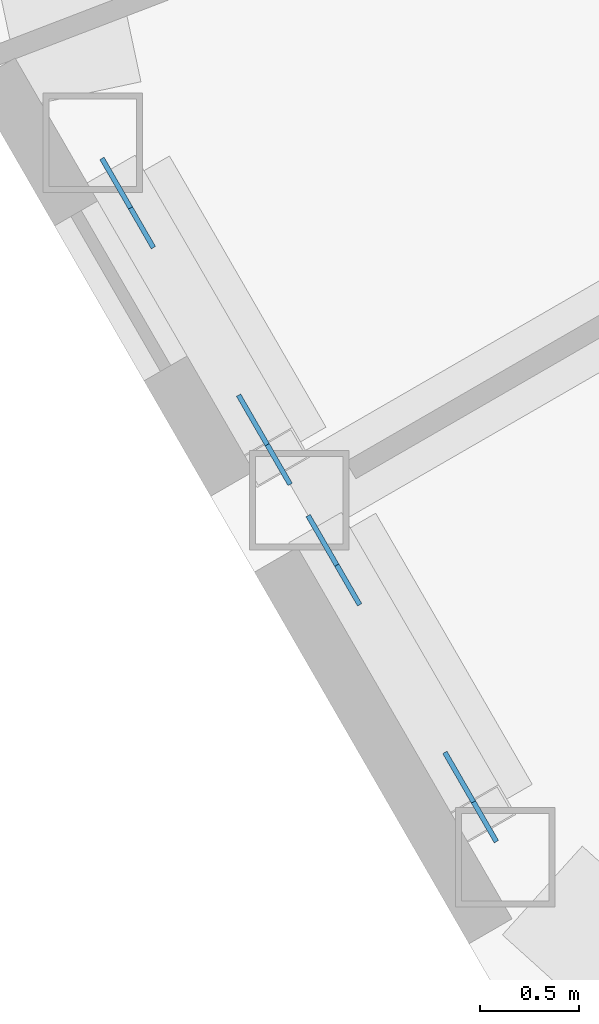
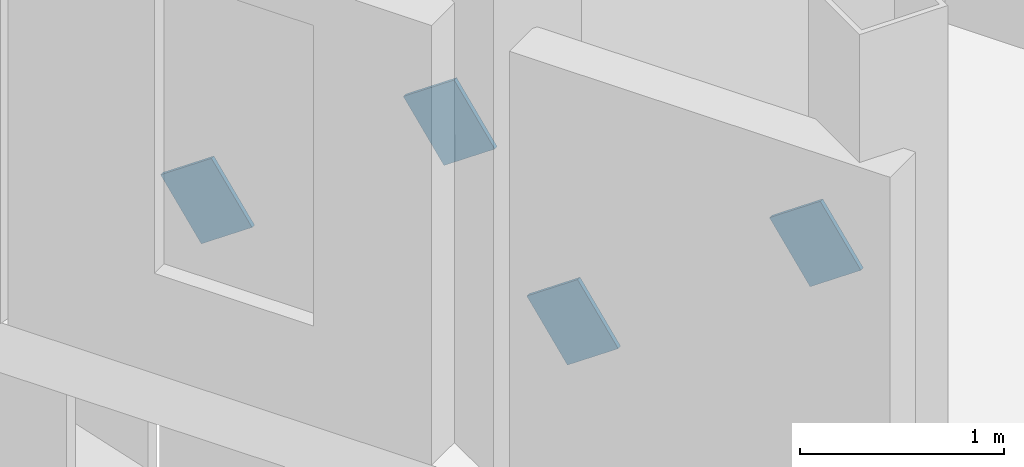
# One storey, part 19 of 27: 4 discrete accessories.
"""IFC4 building model written with IfcOpenShell, lengths in metres."""

import ifcopenshell
import ifcopenshell.guid

model = None  # the IFC model being written
_history = None  # IfcOwnerHistory: only IFC2X3 demands one
_inside = {}  # id of a spatial element -> (the spatial element, [elements in it])
_under = {}  # id of a project, library or spatial element -> (it, [spatial elements below it])
_declared = {}  # id of a project -> (the project, [libraries it declares])
_typed = {}  # id of a type object -> (the type object, [elements of that type])
_made_of = {}  # id of a material, layer set ... -> (it, [elements and type objects made of it])


def new_model(schema):
    """Start an empty IFC model of exactly this schema.

    Asked for "IFC4X3", IfcOpenShell would pick the latest addendum, in which some entities
    have other attributes; the version numbers below select the first issue.
    IFC2X3 requires an IfcOwnerHistory on every rooted entity: one is made here for all.
    """
    global model, _history
    if schema == "IFC4X3":
        model = ifcopenshell.file(schema_version=(4, 3, 0, 0))
    else:
        model = ifcopenshell.file(schema=schema)
    _inside.clear()
    _under.clear()
    _declared.clear()
    _typed.clear()
    _made_of.clear()
    _history = None
    if model.schema == "IFC2X3":
        org = make("IfcOrganization", Name="unknown")
        user = make(
            "IfcPersonAndOrganization",
            ThePerson=make("IfcPerson", FamilyName="unknown"),
            TheOrganization=org,
        )
        app = make(
            "IfcApplication",
            ApplicationDeveloper=org,
            Version="unknown",
            ApplicationFullName="unknown",
            ApplicationIdentifier="unknown",
        )
        _history = make(
            "IfcOwnerHistory",
            OwningUser=user,
            OwningApplication=app,
            ChangeAction="ADDED",
            CreationDate=0,
        )
    return model


def make(cls, **values):
    """One entity of the class cls with the attributes given. An attribute that is None is left unset."""
    return model.create_entity(
        cls, **{name: value for name, value in values.items() if value is not None}
    )


def rooted(cls, **values):
    """An entity with a GlobalId (a new one), such as an element, a storey or a relation."""
    return make(cls, GlobalId=ifcopenshell.guid.new(), OwnerHistory=_history, **values)


def si_unit(unit_type, name, prefix=None):
    """IfcSIUnit, for example si_unit("LENGTHUNIT", "METRE", prefix="MILLI")."""
    return make("IfcSIUnit", UnitType=unit_type, Prefix=prefix, Name=name)


def assignment(units):
    """IfcUnitAssignment: the units of a project."""
    return None if units is None else make("IfcUnitAssignment", Units=units)


def point(xyz):
    """IfcCartesianPoint."""
    return None if xyz is None else make("IfcCartesianPoint", Coordinates=xyz)


def direction(xyz):
    """IfcDirection."""
    return None if xyz is None else make("IfcDirection", DirectionRatios=xyz)


def frame(location, z_axis=None, x_axis=None):
    """IfcAxis2Placement3D, a coordinate frame: its origin and axes. An axis left out is left unset."""
    return make(
        "IfcAxis2Placement3D",
        Location=point(location),
        Axis=direction(z_axis),
        RefDirection=direction(x_axis),
    )


def frame_2d(location, x_axis=None):
    """IfcAxis2Placement2D, a coordinate frame in the plane: its origin and x axis."""
    return make(
        "IfcAxis2Placement2D", Location=point(location), RefDirection=direction(x_axis)
    )


def origin():
    """The frame at (0, 0, 0) with its axes left unset."""
    return frame((0.0, 0.0, 0.0))


def origin_2d():
    """The frame at (0, 0) in the plane with its x axis left unset."""
    return frame_2d((0.0, 0.0))


def place(relative_to, where):
    """IfcLocalPlacement: puts the frame where relative to a parent placement (None: the world)."""
    return make(
        "IfcLocalPlacement", PlacementRelTo=relative_to, RelativePlacement=where
    )


def context(
    kind, dimensions, precision=None, world=None, true_north=None, identifier=None
):
    """IfcGeometricRepresentationContext, for example the 3D "Model" context."""
    return make(
        "IfcGeometricRepresentationContext",
        ContextIdentifier=identifier,
        ContextType=kind,
        CoordinateSpaceDimension=dimensions,
        Precision=precision,
        WorldCoordinateSystem=world,
        TrueNorth=true_north,
    )


def subcontext(parent, identifier, kind, view, scale=None):
    """IfcGeometricRepresentationSubContext, for example "Body" below "Model"."""
    return make(
        "IfcGeometricRepresentationSubContext",
        ContextIdentifier=identifier,
        ContextType=kind,
        ParentContext=parent,
        TargetScale=scale,
        TargetView=view,
    )


def project(units=None, contexts=None):
    """IfcProject with its units and contexts."""
    return rooted(
        "IfcProject",
        Name="project",
        RepresentationContexts=contexts,
        UnitsInContext=assignment(units),
    )


def spatial(cls, under=None, at=None, **own):
    """A site, building, storey or space (cls), placed at a placement, below another one or the project."""
    s = rooted(cls, ObjectPlacement=at, **own)
    if under is not None:
        _under.setdefault(under.id(), (under, []))[1].append(s)
    return s


def profile(cls, at=None, kind="AREA", **sizes):
    """A parametric profile (cls). Its sizes go by their IFC names, for example OverallWidth=200.0."""
    return make(cls, ProfileType=kind, Position=at, **sizes)


def rectangle(**sizes):
    """IfcRectangleProfileDef."""
    return profile("IfcRectangleProfileDef", **sizes)


def extrude(swept, where, along, depth):
    """IfcExtrudedAreaSolid: the profile swept, set in the frame where, extruded along a direction by depth."""
    return make(
        "IfcExtrudedAreaSolid",
        SweptArea=swept,
        Position=where,
        ExtrudedDirection=direction(along),
        Depth=depth,
    )


def shape(context_of_items, identifier, shape_type, items):
    """IfcShapeRepresentation: the items that make up one representation, for example the "Body"."""
    return make(
        "IfcShapeRepresentation",
        ContextOfItems=context_of_items,
        RepresentationIdentifier=identifier,
        RepresentationType=shape_type,
        Items=items,
    )


def material(Name=None, Category=None):
    """IfcMaterial."""
    return make("IfcMaterial", Name=Name, Category=Category)


def material_profile(
    of_material, cross_section, Name=None, Category=None, Priority=None
):
    """IfcMaterialProfile: a cross section and its material."""
    return make(
        "IfcMaterialProfile",
        Name=Name,
        Material=of_material,
        Profile=cross_section,
        Priority=Priority,
        Category=Category,
    )


def profile_set(profiles, Name=None, composite=None):
    """IfcMaterialProfileSet."""
    return make(
        "IfcMaterialProfileSet",
        Name=Name,
        MaterialProfiles=profiles,
        CompositeProfile=composite,
    )


def made_of(thing, what):
    """Note that an element or type object is made of a material, layer set ...; save() writes the relation."""
    if what is not None:
        _made_of.setdefault(what.id(), (what, []))[1].append(thing)
    return thing


def type_object(cls, material=None, **own):
    """A type object (cls), such as IfcWallType, which elements share."""
    return made_of(rooted(cls, **own), material)


def element(
    cls,
    number,
    at=None,
    inside=None,
    cuts=None,
    type_object=None,
    material=None,
    context=None,
    identifier="Body",
    shape_type=None,
    held_by="IfcProductDefinitionShape",
    body=None,
    shapes=None,
    **own,
):
    """One element of the class cls, such as IfcWall. Its Tag is "e" and its number.

    at: its placement. inside: the storey or other place that contains it. cuts: it is an
    opening in that element (IfcRelVoidsElement). A single representation is given by context,
    identifier, shape_type and body (its items); several are given by shapes. held_by: the class
    of the entity that holds the representations. save() writes the other relations.
    """
    e = rooted(cls, Tag="e%d" % number, ObjectPlacement=at, **own)
    if body is not None:
        shapes = [shape(context, identifier, shape_type, body)]
    if shapes is not None:
        e.Representation = make(held_by, Representations=shapes)
    if inside is not None:
        _inside.setdefault(inside.id(), (inside, []))[1].append(e)
    if cuts is not None:
        rooted(
            "IfcRelVoidsElement", RelatingBuildingElement=cuts, RelatedOpeningElement=e
        )
    if type_object is not None:
        _typed.setdefault(type_object.id(), (type_object, []))[1].append(e)
    return made_of(e, material)


def aggregate(whole, parts):
    """IfcRelAggregates: a whole, such as a stair, and the parts it consists of."""
    return rooted("IfcRelAggregates", RelatingObject=whole, RelatedObjects=parts)


def save(model, path):
    """Write the relations noted so far, then the file.

    IfcRelAggregates (storeys below a building ...), IfcRelContainedInSpatialStructure (elements
    in a storey), IfcRelDefinesByType, IfcRelAssociatesMaterial and IfcRelDeclares: one each for
    every whole, place, type object, material and project.
    """
    for whole, parts in _under.values():
        aggregate(whole, parts)
    for where, things in _inside.values():
        rooted(
            "IfcRelContainedInSpatialStructure",
            RelatedElements=things,
            RelatingStructure=where,
        )
    for kind, things in _typed.values():
        rooted("IfcRelDefinesByType", RelatedObjects=things, RelatingType=kind)
    for what, things in _made_of.values():
        rooted("IfcRelAssociatesMaterial", RelatedObjects=things, RelatingMaterial=what)
    for by, libraries in _declared.values():
        rooted("IfcRelDeclares", RelatingContext=by, RelatedDefinitions=libraries)
    model.write(path)


model = new_model("IFC4")

# Units and contexts
model_context = context("Model", 3, precision=1e-05, world=origin(), true_north=direction((0.0, 1.0)))
body_context = subcontext(model_context, "Body", "Model", "MODEL_VIEW")
ifc_project = project(units=[si_unit("LENGTHUNIT", "METRE"), si_unit("AREAUNIT", "SQUARE_METRE"), si_unit("VOLUMEUNIT", "CUBIC_METRE"), si_unit("PLANEANGLEUNIT", "RADIAN"), si_unit("MASSUNIT", "GRAM", prefix="KILO")], contexts=[model_context])

# Site, building, storey
site_placement = place(None, origin())
site = spatial("IfcSite", under=ifc_project, at=site_placement, CompositionType="ELEMENT")
building_placement = place(site_placement, origin())
building = spatial("IfcBuilding", under=site, at=building_placement, Name="Cormorant Prow Tower", CompositionType="ELEMENT")
storey_placement = place(building_placement, frame((0.0, 0.0, 361.0)))
storey = spatial("IfcBuildingStorey", under=building, at=storey_placement, Name="L80", CompositionType="ELEMENT", Elevation=361.0)

# Discrete accessories
ifc_material = material(Name="Structural steel ASTM A500 Gr C", Category="steel")
ifc_material_profile = material_profile(ifc_material, rectangle(XDim=0.02490234375, YDim=0.405029296875, at=origin_2d()), Name="Gusset plate 25x405")
ifc_profile_set = profile_set([ifc_material_profile], Name="Structural steel ASTM A500 Gr C")
discrete_accessory_type = type_object("IfcDiscreteAccessoryType", Name="Gusset plate 25x405", PredefinedType="BRACKET", material=ifc_profile_set)
for number, where, z_axis, x_axis, name in (
    (1, (-27.8271484375, -14.2412109375, 0.941162109375), (-0.411016012482, 0.712474276306, -0.568723344945), (-0.866199709737, -0.499697971631, 0.0), "Gusset plate GP3 L80.WSW00.g0"),
    (2, (-27.28369140625, -15.182373046875, 1.692626953125), (0.411595697368, -0.712269842394, 0.568560158228), (0.865832418869, 0.500334110806, 0.0), "Gusset plate GP3 L80.WSW00.g1"),
    (3, (-26.7900390625, -16.037109375, 0.941162109375), (-0.411595697368, 0.712269842394, -0.568560158228), (-0.865832418869, -0.500334110806, 0.0), "Gusset plate GP3 L80.WSW01.g0"),
    (4, (-26.246826171875, -16.978271484375, 1.692626953125), (0.411595697368, -0.712269842394, 0.568560158228), (0.865832418869, 0.500334110806, 0.0), "Gusset plate GP3 L80.WSW01.g1"),
):
    element("IfcDiscreteAccessory", number, at=place(storey_placement, frame(where, z_axis=z_axis, x_axis=x_axis)), inside=storey, type_object=discrete_accessory_type, Name=name, PredefinedType="BRACKET", context=body_context, shape_type="SweptSolid", body=[
        extrude(rectangle(XDim=0.02490234375, YDim=0.405029296875, at=origin_2d()), origin(), (0.0, 0.0, 1.0), 0.349853515625),
    ])

save(model, "model.ifc")
